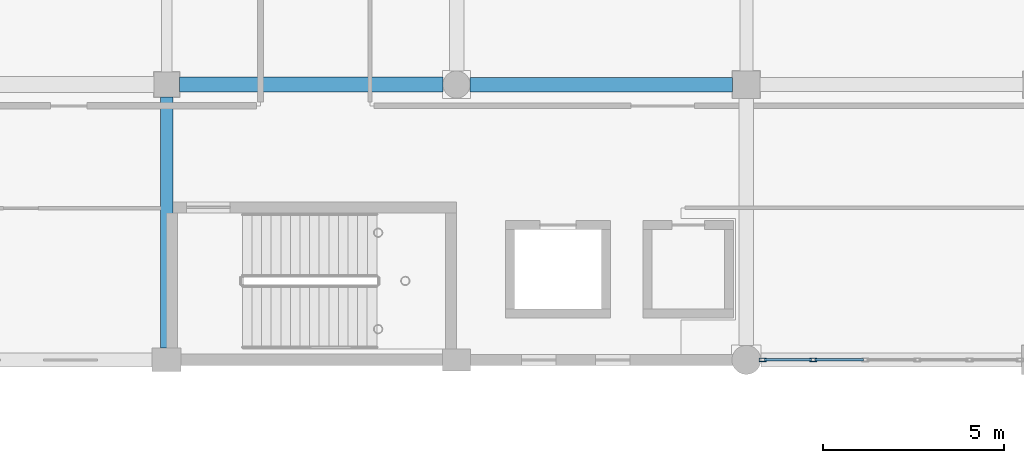
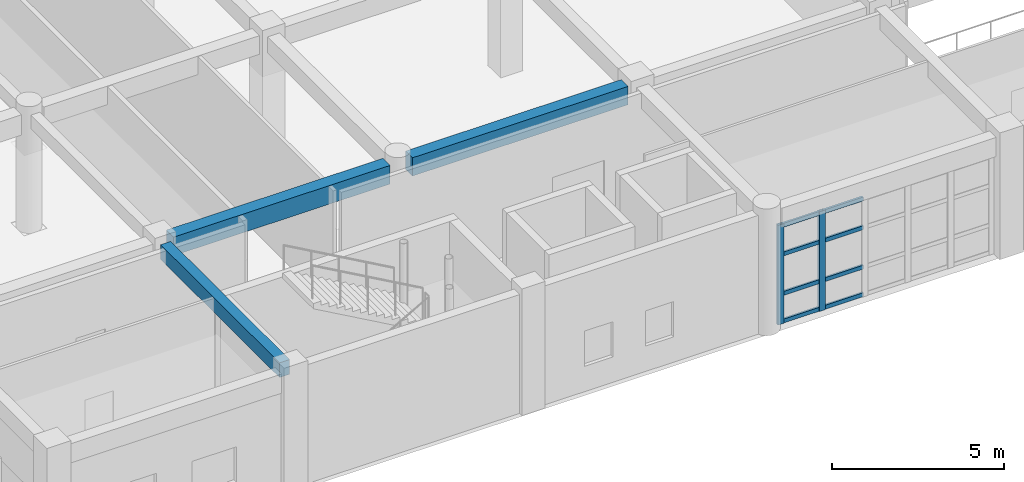
# One storey, part 77 of 166: 10 members, 3 beams, 1 element without a shape of its own.
"""IFC4 building model written with IfcOpenShell, lengths in metres."""

from ifc_helpers import new_model, si_unit, direction, frame, origin, origin_2d, place, context, subcontext, project, spatial, rectangle, hollow_rectangle, extrude, material, material_profile, profile_set, type_object, element, aggregate, save


model = new_model("IFC4")

# Units and contexts
model_context = context("Model", 3, precision=1e-05, world=origin(), true_north=direction((0.0, 1.0)))
body_context = subcontext(model_context, "Body", "Model", "MODEL_VIEW")
ifc_project = project(units=[si_unit("LENGTHUNIT", "METRE"), si_unit("AREAUNIT", "SQUARE_METRE"), si_unit("VOLUMEUNIT", "CUBIC_METRE"), si_unit("PLANEANGLEUNIT", "RADIAN"), si_unit("MASSUNIT", "GRAM", prefix="KILO")], contexts=[model_context])

# Site, building, storey
site_placement = place(None, origin())
site = spatial("IfcSite", under=ifc_project, at=site_placement, CompositionType="ELEMENT")
building_placement = place(site_placement, origin())
building = spatial("IfcBuilding", under=site, at=building_placement, Name="Kharva Crest Polytechnic", CompositionType="ELEMENT")
storey_placement = place(building_placement, origin())
storey = spatial("IfcBuildingStorey", under=building, at=storey_placement, Name="L00", CompositionType="ELEMENT", Elevation=0.0)

# Beams
ifc_material_1 = material(Name="Concrete C35/45", Category="concrete")
ifc_material_profile_1 = material_profile(ifc_material_1, rectangle(XDim=0.340087890625, YDim=0.52001953125, at=origin_2d()), Name="RECT 340 X 520")
ifc_profile_set_1 = profile_set([ifc_material_profile_1], Name="Concrete C35/45")
beam_type_1 = type_object("IfcBeamType", Name="BM-RC-340X520", PredefinedType="BEAM", material=ifc_profile_set_1)
beam_1_placement = place(storey_placement, frame((128.800048828125, 0.324951171875, 3.9599609375), z_axis=(0.0, 1.0, 0.0), x_axis=(-1.0, 0.0, 0.0)))
element("IfcBeam", 1, at=beam_1_placement, inside=storey, type_object=beam_type_1, Name="L00 Girder 17/A-B", PredefinedType="BEAM", context=body_context, shape_type="SweptSolid", body=[
    extrude(rectangle(XDim=0.340087890625, YDim=0.52001953125, at=origin_2d()), origin(), (0.0, 0.0, 1.0), 6.925048828125),
])
ifc_material_profile_2 = material_profile(ifc_material_1, rectangle(XDim=0.39990234375, YDim=0.64990234375, at=origin_2d()), Name="RECT 400 X 650")
ifc_profile_set_2 = profile_set([ifc_material_profile_2], Name="Concrete C35/45")
beam_type_2 = type_object("IfcBeamType", Name="BM-RC-400X650", PredefinedType="BEAM", material=ifc_profile_set_2)
beam_2_placement = place(storey_placement, frame((137.175048828125, 7.60009765625, 3.89501953125), z_axis=(1.0, 0.0, 0.0), x_axis=(0.0, 1.0, 0.0)))
element("IfcBeam", 2, at=beam_2_placement, inside=storey, type_object=beam_type_2, Name="L00 Beam B/18-19", PredefinedType="BEAM", context=body_context, shape_type="SweptSolid", body=[
    extrude(rectangle(XDim=0.39990234375, YDim=0.64990234375, at=origin_2d()), origin(), (0.0, 0.0, 1.0), 7.244873046875),
])
ifc_material_profile_3 = material_profile(ifc_material_1, rectangle(XDim=0.419921875, YDim=0.659912109375, at=origin_2d()), Name="RECT 420 X 660")
ifc_profile_set_3 = profile_set([ifc_material_profile_3], Name="Concrete C35/45")
beam_type_3 = type_object("IfcBeamType", Name="BM-RC-420X660", PredefinedType="BEAM", material=ifc_profile_set_3)
beam_3_placement = place(storey_placement, frame((129.14990234375, 7.60009765625, 3.889892578125), z_axis=(1.0, 0.0, 0.0), x_axis=(0.0, 1.0, 0.0)))
element("IfcBeam", 3, at=beam_3_placement, inside=storey, type_object=beam_type_3, Name="L00 Beam B/17-18", PredefinedType="BEAM", context=body_context, shape_type="SweptSolid", body=[
    extrude(rectangle(XDim=0.419921875, YDim=0.659912109375, at=origin_2d()), origin(), (0.0, 0.0, 1.0), 7.275146484375),
])

# Curtain wall, members
ifc_material_2 = material(Name="Tempered insulated glass", Category="glass")
curtain_wall_type = type_object("IfcCurtainWallType", Name="CW-SYS-REFECTORY", PredefinedType="USERDEFINED", material=ifc_material_2)
curtain_wall_placement = place(storey_placement, origin())
curtain_wall = element("IfcCurtainWall", 4, at=curtain_wall_placement, inside=storey, type_object=curtain_wall_type, Name="L00 Glazed Curtain Wall CW-008", ObjectType="CURTAIN WALL", PredefinedType="USERDEFINED")
ifc_material_3 = material(Name="Steel S355", Category="steel")
ifc_material_profile_4 = material_profile(ifc_material_3, hollow_rectangle(XDim=0.10009765625, YDim=0.199951171875, WallThickness=0.00634765625, at=origin_2d()), Name="RHS 200X100X6.3")
ifc_profile_set_4 = profile_set([ifc_material_profile_4], Name="Steel S355")
member_type_1 = type_object("IfcMemberType", Name="CWM-RHS200X100", PredefinedType="MULLION", material=ifc_profile_set_4)
member_1_placement = place(storey_placement, frame((145.2548828125, 0.0, 0.0), z_axis=(0.0, 0.0, 1.0), x_axis=(0.0, 1.0, 0.0)))
member_1 = element("IfcMember", 5, at=member_1_placement, type_object=member_type_1, Name="CW-008 mullion 1", PredefinedType="MULLION", context=body_context, shape_type="SweptSolid", body=[
    extrude(hollow_rectangle(XDim=0.10009765625, YDim=0.199951171875, WallThickness=0.00634765625, at=origin_2d()), origin(), (0.0, 0.0, 1.0), 3.5400390625),
])
member_2_placement = place(storey_placement, frame((146.64306640625, 0.0, 0.0), z_axis=(0.0, 0.0, 1.0), x_axis=(0.0, 1.0, 0.0)))
member_2 = element("IfcMember", 6, at=member_2_placement, type_object=member_type_1, Name="CW-008 mullion 2", PredefinedType="MULLION", context=body_context, shape_type="SweptSolid", body=[
    extrude(hollow_rectangle(XDim=0.10009765625, YDim=0.199951171875, WallThickness=0.00634765625, at=origin_2d()), origin(), (0.0, 0.0, 1.0), 3.5400390625),
])
ifc_material_profile_5 = material_profile(ifc_material_3, hollow_rectangle(XDim=0.070068359375, YDim=0.139892578125, WallThickness=0.00390625, at=origin_2d()), Name="RHS 140X70X4.0")
ifc_profile_set_5 = profile_set([ifc_material_profile_5], Name="Steel S355")
member_type_2 = type_object("IfcMemberType", Name="CWT-RHS140X70", PredefinedType="USERDEFINED", material=ifc_profile_set_5)
member_3_placement = place(storey_placement, frame((145.304931640625, 0.0, 0.070068359375), z_axis=(1.0, 0.0, 0.0), x_axis=(0.0, 1.0, 0.0)))
member_3 = element("IfcMember", 7, at=member_3_placement, type_object=member_type_2, Name="CW-008 transom 1.1", ObjectType="TRANSOM", PredefinedType="USERDEFINED", context=body_context, shape_type="SweptSolid", body=[
    extrude(hollow_rectangle(XDim=0.070068359375, YDim=0.139892578125, WallThickness=0.00390625, at=origin_2d()), origin(), (0.0, 0.0, 1.0), 1.2880859375),
])
member_4_placement = place(storey_placement, frame((145.304931640625, 0.0, 1.050048828125), z_axis=(1.0, 0.0, 0.0), x_axis=(0.0, 1.0, 0.0)))
member_4 = element("IfcMember", 8, at=member_4_placement, type_object=member_type_2, Name="CW-008 transom 1.2", ObjectType="TRANSOM", PredefinedType="USERDEFINED", context=body_context, shape_type="SweptSolid", body=[
    extrude(hollow_rectangle(XDim=0.070068359375, YDim=0.139892578125, WallThickness=0.00390625, at=origin_2d()), origin(), (0.0, 0.0, 1.0), 1.2880859375),
])
member_5_placement = place(storey_placement, frame((145.304931640625, 0.0, 2.449951171875), z_axis=(1.0, 0.0, 0.0), x_axis=(0.0, 1.0, 0.0)))
member_5 = element("IfcMember", 9, at=member_5_placement, type_object=member_type_2, Name="CW-008 transom 1.3", ObjectType="TRANSOM", PredefinedType="USERDEFINED", context=body_context, shape_type="SweptSolid", body=[
    extrude(hollow_rectangle(XDim=0.070068359375, YDim=0.139892578125, WallThickness=0.00390625, at=origin_2d()), origin(), (0.0, 0.0, 1.0), 1.2880859375),
])
member_6_placement = place(storey_placement, frame((145.304931640625, 0.0, 3.469970703125), z_axis=(1.0, 0.0, 0.0), x_axis=(0.0, 1.0, 0.0)))
member_6 = element("IfcMember", 10, at=member_6_placement, type_object=member_type_2, Name="CW-008 transom 1.4", ObjectType="TRANSOM", PredefinedType="USERDEFINED", context=body_context, shape_type="SweptSolid", body=[
    extrude(hollow_rectangle(XDim=0.070068359375, YDim=0.139892578125, WallThickness=0.00390625, at=origin_2d()), origin(), (0.0, 0.0, 1.0), 1.2880859375),
])
member_7_placement = place(storey_placement, frame((146.693115234375, 0.0, 0.070068359375), z_axis=(1.0, 0.0, 0.0), x_axis=(0.0, 1.0, 0.0)))
member_7 = element("IfcMember", 11, at=member_7_placement, type_object=member_type_2, Name="CW-008 transom 2.1", ObjectType="TRANSOM", PredefinedType="USERDEFINED", context=body_context, shape_type="SweptSolid", body=[
    extrude(hollow_rectangle(XDim=0.070068359375, YDim=0.139892578125, WallThickness=0.00390625, at=origin_2d()), origin(), (0.0, 0.0, 1.0), 1.337890625),
])
member_8_placement = place(storey_placement, frame((146.693115234375, 0.0, 1.050048828125), z_axis=(1.0, 0.0, 0.0), x_axis=(0.0, 1.0, 0.0)))
member_8 = element("IfcMember", 12, at=member_8_placement, type_object=member_type_2, Name="CW-008 transom 2.2", ObjectType="TRANSOM", PredefinedType="USERDEFINED", context=body_context, shape_type="SweptSolid", body=[
    extrude(hollow_rectangle(XDim=0.070068359375, YDim=0.139892578125, WallThickness=0.00390625, at=origin_2d()), origin(), (0.0, 0.0, 1.0), 1.337890625),
])
member_9_placement = place(storey_placement, frame((146.693115234375, 0.0, 2.449951171875), z_axis=(1.0, 0.0, 0.0), x_axis=(0.0, 1.0, 0.0)))
member_9 = element("IfcMember", 13, at=member_9_placement, type_object=member_type_2, Name="CW-008 transom 2.3", ObjectType="TRANSOM", PredefinedType="USERDEFINED", context=body_context, shape_type="SweptSolid", body=[
    extrude(hollow_rectangle(XDim=0.070068359375, YDim=0.139892578125, WallThickness=0.00390625, at=origin_2d()), origin(), (0.0, 0.0, 1.0), 1.337890625),
])
member_10_placement = place(storey_placement, frame((146.693115234375, 0.0, 3.469970703125), z_axis=(1.0, 0.0, 0.0), x_axis=(0.0, 1.0, 0.0)))
member_10 = element("IfcMember", 14, at=member_10_placement, type_object=member_type_2, Name="CW-008 transom 2.4", ObjectType="TRANSOM", PredefinedType="USERDEFINED", context=body_context, shape_type="SweptSolid", body=[
    extrude(hollow_rectangle(XDim=0.070068359375, YDim=0.139892578125, WallThickness=0.00390625, at=origin_2d()), origin(), (0.0, 0.0, 1.0), 1.337890625),
])
aggregate(curtain_wall, [member_1, member_2, member_3, member_4, member_5, member_6, member_7, member_8, member_9, member_10])

save(model, "model.ifc")
